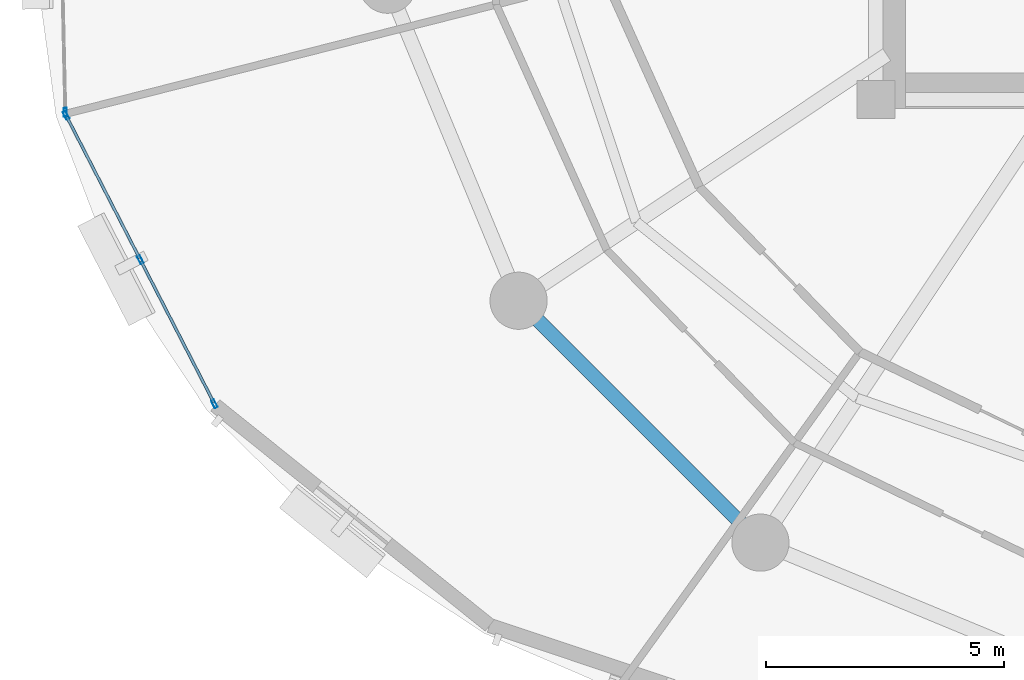
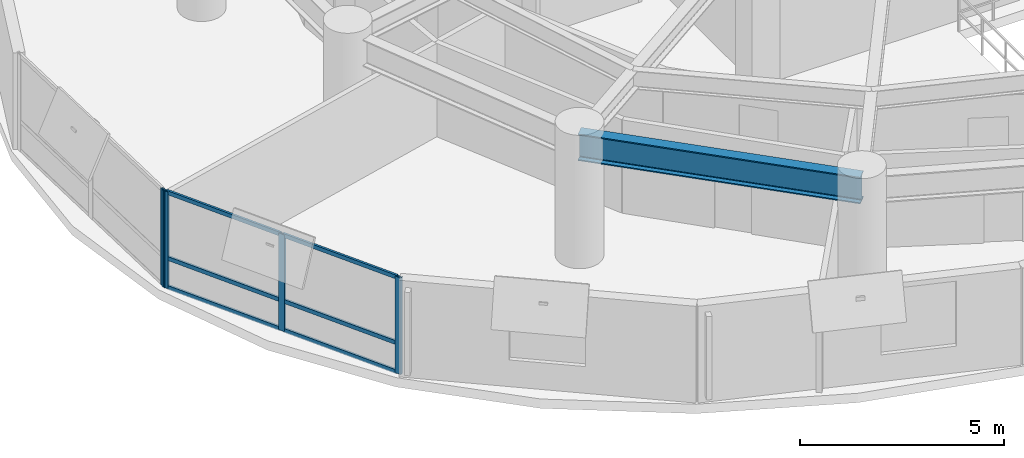
# One storey, part 2 of 15: 10 members, 1 beam, 2 elements without a shape of their own.
"""IFC4 building model written with IfcOpenShell, lengths in metres."""

from ifc_helpers import new_model, si_unit, direction, frame, origin, origin_2d, place, context, subcontext, project, spatial, hollow_rectangle, i_section, extrude, material, layer, layer_set, material_profile, profile_set, type_object, element, aggregate, save


model = new_model("IFC4")

# Units and contexts
model_context = context("Model", 3, precision=1e-05, world=origin(), true_north=direction((0.0, 1.0)))
body_context = subcontext(model_context, "Body", "Model", "MODEL_VIEW")
ifc_project = project(units=[si_unit("LENGTHUNIT", "METRE"), si_unit("AREAUNIT", "SQUARE_METRE"), si_unit("VOLUMEUNIT", "CUBIC_METRE"), si_unit("PLANEANGLEUNIT", "RADIAN"), si_unit("MASSUNIT", "GRAM", prefix="KILO"), si_unit("THERMODYNAMICTEMPERATUREUNIT", "KELVIN"), si_unit("POWERUNIT", "WATT")], contexts=[model_context])

# Site, building, storey
site_placement = place(None, origin())
site = spatial("IfcSite", under=ifc_project, at=site_placement, CompositionType="ELEMENT")
building_placement = place(site_placement, origin())
building = spatial("IfcBuilding", under=site, at=building_placement, Name="Ocrelia Relay Tower", CompositionType="ELEMENT")
storey_placement = place(building_placement, frame((0.0, 0.0, 93.800048828125)))
storey = spatial("IfcBuildingStorey", under=building, at=storey_placement, Name="L21", CompositionType="ELEMENT", Elevation=93.800048828125)

# Beam
ifc_material_1 = material(Name="Steel S355", Category="steel")
ifc_material_profile_1 = material_profile(ifc_material_1, i_section(OverallWidth=0.300048828125, OverallDepth=0.800048828125, WebThickness=0.017578125, FlangeThickness=0.032958984375, FilletRadius=0.030029296875, at=origin_2d()), Name="HEB 800")
ifc_profile_set_1 = profile_set([ifc_material_profile_1], Name="Steel S355")
beam_type = type_object("IfcBeamType", Name="BM-HEB800", PredefinedType="BEAM", material=ifc_profile_set_1)
beam_placement = place(storey_placement, frame((18.700927734375, 15.777587890625, 3.320068359375), z_axis=(0.707106781187, -0.707106781187, 0.0), x_axis=(0.707106781187, 0.707106781187, 0.0)))
element("IfcBeam", 1, at=beam_placement, inside=storey, type_object=beam_type, Name="L21 Perimeter Spandrel Beam S10", PredefinedType="BEAM", context=body_context, shape_type="SweptSolid", body=[
    extrude(i_section(OverallWidth=0.300048828125, OverallDepth=0.800048828125, WebThickness=0.017578125, FlangeThickness=0.032958984375, FilletRadius=0.030029296875, at=origin_2d()), origin(), (0.0, 0.0, 1.0), 7.179443359375),
])

# Curtain wall, member
ifc_material_2 = material(Name="Aluminium and solar-control low-E glass", Category="aluminium")
ifc_layer = layer(ifc_material_2, 0.179931640625, Name="Aluminium and solar-control low-E glass")
ifc_layer_set = layer_set([ifc_layer], Name="Aluminium and solar-control low-E glass")
curtain_wall_type = type_object("IfcCurtainWallType", Name="CW-SYS-Z2-SWIT", PredefinedType="NOTDEFINED", material=ifc_layer_set)
curtain_wall_1_placement = place(storey_placement, origin())
curtain_wall_1 = element("IfcCurtainWall", 2, at=curtain_wall_1_placement, inside=storey, type_object=curtain_wall_type, Name="L21 Elliptical Tower Curtain Wall Bay 09", PredefinedType="NOTDEFINED")
ifc_material_3 = material(Name="Anodised bronze aluminium", Category="aluminium")
ifc_material_profile_2 = material_profile(ifc_material_3, hollow_rectangle(XDim=0.070068359375, YDim=0.179931640625, WallThickness=0.006103515625, at=origin_2d()), Name="CW-MUL-180x70")
ifc_profile_set_2 = profile_set([ifc_material_profile_2], Name="Anodised bronze aluminium")
member_type_1 = type_object("IfcMemberType", Name="CW-SYS-Z2-SWIT-MUL", PredefinedType="MULLION", material=ifc_profile_set_2)
member_1_placement = place(storey_placement, frame((9.18701171875, 19.7333984375, 0.0), z_axis=(0.0, 0.0, 1.0), x_axis=(0.999750032312, 0.02235783737, 0.0)))
member_1 = element("IfcMember", 3, at=member_1_placement, type_object=member_type_1, Name="CW-Z2 mullion 3", PredefinedType="MULLION", context=body_context, shape_type="SweptSolid", body=[
    extrude(hollow_rectangle(XDim=0.070068359375, YDim=0.179931640625, WallThickness=0.006103515625, at=origin_2d()), origin(), (0.0, 0.0, 1.0), 2.89990234375),
])
aggregate(curtain_wall_1, [member_1])

# Curtain wall, members
curtain_wall_2_placement = place(storey_placement, origin())
curtain_wall_2 = element("IfcCurtainWall", 4, at=curtain_wall_2_placement, inside=storey, type_object=curtain_wall_type, Name="L21 Elliptical Tower Curtain Wall Bay 10", PredefinedType="NOTDEFINED")
member_2_placement = place(storey_placement, frame((9.20361328125, 19.66748046875, 0.0), z_axis=(0.0, 0.0, 1.0), x_axis=(0.889260604042, 0.457400894292, 0.0)))
member_2 = element("IfcMember", 5, at=member_2_placement, type_object=member_type_1, Name="CW-Z2 mullion 1", PredefinedType="MULLION", context=body_context, shape_type="SweptSolid", body=[
    extrude(hollow_rectangle(XDim=0.070068359375, YDim=0.179931640625, WallThickness=0.006103515625, at=origin_2d()), origin(), (0.0, 0.0, 1.0), 2.89990234375),
])
member_3_placement = place(storey_placement, frame((10.760986328125, 16.639892578125, 0.0), z_axis=(0.0, 0.0, 1.0), x_axis=(0.889260604042, 0.457400894292, 0.0)))
member_3 = element("IfcMember", 6, at=member_3_placement, type_object=member_type_1, Name="CW-Z2 mullion 2", PredefinedType="MULLION", context=body_context, shape_type="SweptSolid", body=[
    extrude(hollow_rectangle(XDim=0.070068359375, YDim=0.179931640625, WallThickness=0.006103515625, at=origin_2d()), origin(), (0.0, 0.0, 1.0), 2.89990234375),
])
member_4_placement = place(storey_placement, frame((12.318115234375, 13.6123046875, 0.0), z_axis=(0.0, 0.0, 1.0), x_axis=(0.889260604042, 0.457400894292, 0.0)))
member_4 = element("IfcMember", 7, at=member_4_placement, type_object=member_type_1, Name="CW-Z2 mullion 3", PredefinedType="MULLION", context=body_context, shape_type="SweptSolid", body=[
    extrude(hollow_rectangle(XDim=0.070068359375, YDim=0.179931640625, WallThickness=0.006103515625, at=origin_2d()), origin(), (0.0, 0.0, 1.0), 2.89990234375),
])
ifc_material_profile_3 = material_profile(ifc_material_3, hollow_rectangle(XDim=0.06005859375, YDim=0.1201171875, WallThickness=0.0048828125, at=origin_2d()), Name="CW-TRN-120x60")
ifc_profile_set_3 = profile_set([ifc_material_profile_3], Name="Anodised bronze aluminium")
member_type_2 = type_object("IfcMemberType", Name="CW-SYS-Z2-SWIT-TRN", PredefinedType="USERDEFINED", material=ifc_profile_set_3)
member_5_placement = place(storey_placement, frame((9.2197265625, 19.63623046875, 0.030029296875), z_axis=(0.457376135774, -0.88927333842, 0.0), x_axis=(0.88927333842, 0.457376135774, 0.0)))
member_5 = element("IfcMember", 8, at=member_5_placement, type_object=member_type_2, Name="CW-Z2 transom 1.1", ObjectType="TRANSOM", PredefinedType="USERDEFINED", context=body_context, shape_type="SweptSolid", body=[
    extrude(hollow_rectangle(XDim=0.06005859375, YDim=0.1201171875, WallThickness=0.0048828125, at=origin_2d()), origin(), (0.0, 0.0, 1.0), 3.33447265625),
])
member_6_placement = place(storey_placement, frame((9.2197265625, 19.63623046875, 0.89990234375), z_axis=(0.457376135774, -0.88927333842, 0.0), x_axis=(0.88927333842, 0.457376135774, 0.0)))
member_6 = element("IfcMember", 9, at=member_6_placement, type_object=member_type_2, Name="CW-Z2 transom 1.2", ObjectType="TRANSOM", PredefinedType="USERDEFINED", context=body_context, shape_type="SweptSolid", body=[
    extrude(hollow_rectangle(XDim=0.06005859375, YDim=0.1201171875, WallThickness=0.0048828125, at=origin_2d()), origin(), (0.0, 0.0, 1.0), 3.33447265625),
])
member_7_placement = place(storey_placement, frame((9.2197265625, 19.63623046875, 2.869873046875), z_axis=(0.457376135774, -0.88927333842, 0.0), x_axis=(0.88927333842, 0.457376135774, 0.0)))
member_7 = element("IfcMember", 10, at=member_7_placement, type_object=member_type_2, Name="CW-Z2 transom 1.3", ObjectType="TRANSOM", PredefinedType="USERDEFINED", context=body_context, shape_type="SweptSolid", body=[
    extrude(hollow_rectangle(XDim=0.06005859375, YDim=0.1201171875, WallThickness=0.0048828125, at=origin_2d()), origin(), (0.0, 0.0, 1.0), 3.33447265625),
])
member_8_placement = place(storey_placement, frame((10.77685546875, 16.608642578125, 0.030029296875), z_axis=(0.457463814565, -0.889228237498, 0.0), x_axis=(0.889228237498, 0.457463814565, 0.0)))
member_8 = element("IfcMember", 11, at=member_8_placement, type_object=member_type_2, Name="CW-Z2 transom 2.1", ObjectType="TRANSOM", PredefinedType="USERDEFINED", context=body_context, shape_type="SweptSolid", body=[
    extrude(hollow_rectangle(XDim=0.06005859375, YDim=0.1201171875, WallThickness=0.0048828125, at=origin_2d()), origin(), (0.0, 0.0, 1.0), 3.33447265625),
])
member_9_placement = place(storey_placement, frame((10.77685546875, 16.608642578125, 0.89990234375), z_axis=(0.457463814565, -0.889228237498, 0.0), x_axis=(0.889228237498, 0.457463814565, 0.0)))
member_9 = element("IfcMember", 12, at=member_9_placement, type_object=member_type_2, Name="CW-Z2 transom 2.2", ObjectType="TRANSOM", PredefinedType="USERDEFINED", context=body_context, shape_type="SweptSolid", body=[
    extrude(hollow_rectangle(XDim=0.06005859375, YDim=0.1201171875, WallThickness=0.0048828125, at=origin_2d()), origin(), (0.0, 0.0, 1.0), 3.33447265625),
])
member_10_placement = place(storey_placement, frame((10.77685546875, 16.608642578125, 2.869873046875), z_axis=(0.457463814565, -0.889228237498, 0.0), x_axis=(0.889228237498, 0.457463814565, 0.0)))
member_10 = element("IfcMember", 13, at=member_10_placement, type_object=member_type_2, Name="CW-Z2 transom 2.3", ObjectType="TRANSOM", PredefinedType="USERDEFINED", context=body_context, shape_type="SweptSolid", body=[
    extrude(hollow_rectangle(XDim=0.06005859375, YDim=0.1201171875, WallThickness=0.0048828125, at=origin_2d()), origin(), (0.0, 0.0, 1.0), 3.33447265625),
])
aggregate(curtain_wall_2, [member_2, member_3, member_4, member_5, member_6, member_7, member_8, member_9, member_10])

save(model, "model.ifc")
